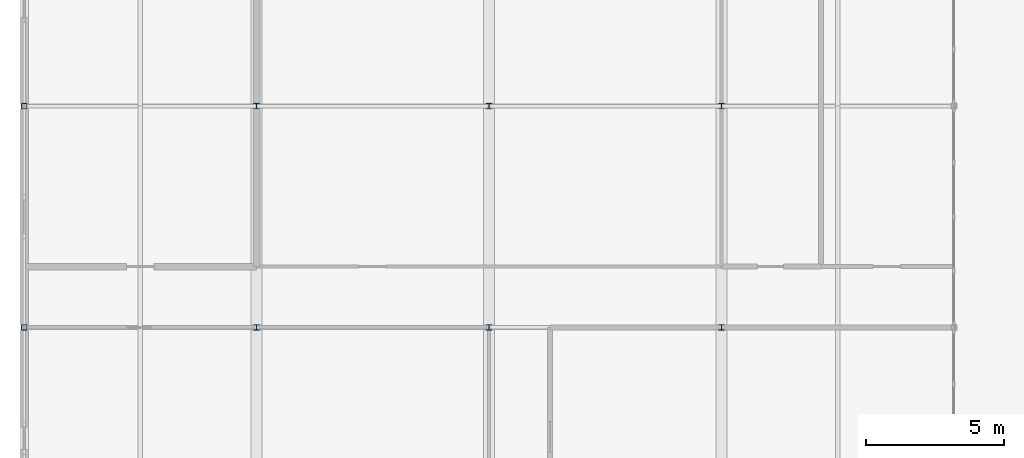
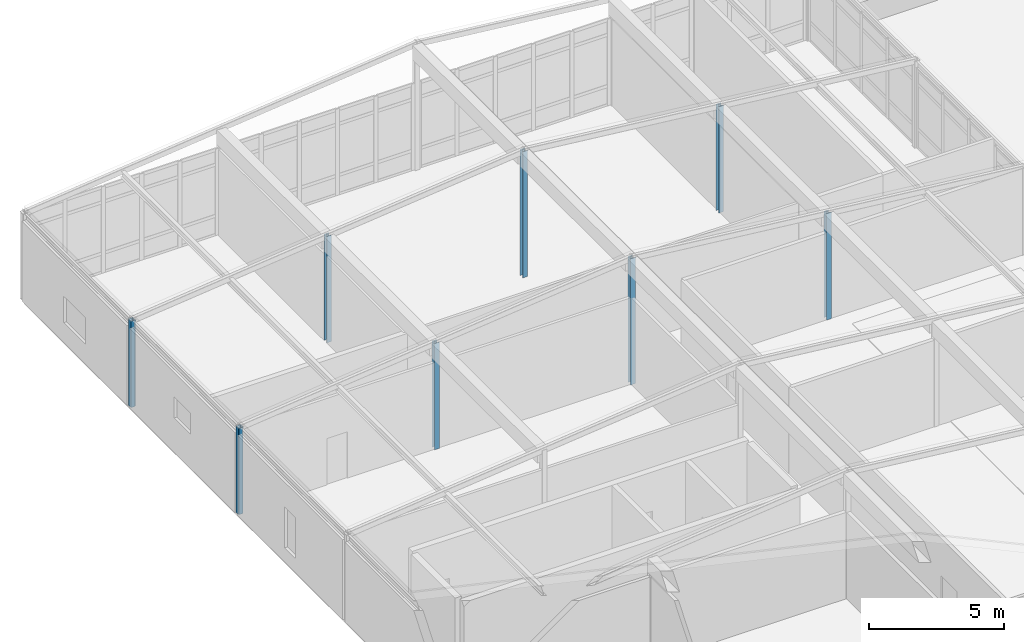
# One storey, part 6 of 25: 8 columns.
"""IFC4 building model written with IfcOpenShell, lengths in metres."""

from ifc_helpers import new_model, si_unit, direction, frame, origin, origin_2d, place, context, subcontext, project, spatial, hollow_rectangle, i_section, extrude, material, material_profile, profile_set, type_object, element, save


model = new_model("IFC4")

# Units and contexts
model_context = context("Model", 3, precision=1e-05, world=origin(), true_north=direction((0.0, 1.0)))
body_context = subcontext(model_context, "Body", "Model", "MODEL_VIEW")
ifc_project = project(units=[si_unit("LENGTHUNIT", "METRE"), si_unit("AREAUNIT", "SQUARE_METRE"), si_unit("VOLUMEUNIT", "CUBIC_METRE"), si_unit("PLANEANGLEUNIT", "RADIAN"), si_unit("MASSUNIT", "GRAM", prefix="KILO")], contexts=[model_context])

# Site, building, storey
site_placement = place(None, origin())
site = spatial("IfcSite", under=ifc_project, at=site_placement, CompositionType="ELEMENT")
building_placement = place(site_placement, origin())
building = spatial("IfcBuilding", under=site, at=building_placement, Name="Kranzveld Transit Interchange", CompositionType="ELEMENT")
storey_placement = place(building_placement, frame((0.0, 0.0, 21.0400390625)))
storey = spatial("IfcBuildingStorey", under=building, at=storey_placement, Name="L05", CompositionType="ELEMENT", Elevation=21.0400390625)

# Columns
ifc_material_1 = material(Name="Steel S355JR", Category="steel")
ifc_material_profile_1 = material_profile(ifc_material_1, i_section(OverallWidth=0.20361328125, OverallDepth=0.203125, WebThickness=0.007080078125, FlangeThickness=0.010986328125, FilletRadius=0.01025390625, at=origin_2d()), Name="UC 203x203x46")
ifc_profile_set_1 = profile_set([ifc_material_profile_1], Name="Steel S355JR")
column_type_1 = type_object("IfcColumnType", Name="Column Steel UC 203x203x46 S355JR", PredefinedType="COLUMN", material=ifc_profile_set_1)
for number, where, z_axis, x_axis, name in (
    (1, (8.39990234375, 96.0, 0.0), (0.0, 0.0, 1.0), (1.0, 0.0, 0.0), "L05 Column 02/N"),
    (2, (8.39990234375, 104.0, 0.0), (0.0, 0.0, 1.0), (1.0, 0.0, 0.0), "L05 Column 02/P"),
):
    element("IfcColumn", number, at=place(storey_placement, frame(where, z_axis=z_axis, x_axis=x_axis)), inside=storey, type_object=column_type_1, Name=name, PredefinedType="COLUMN", context=body_context, shape_type="SweptSolid", body=[
        extrude(i_section(OverallWidth=0.20361328125, OverallDepth=0.203125, WebThickness=0.007080078125, FlangeThickness=0.010986328125, FilletRadius=0.01025390625, at=origin_2d()), origin(), (0.0, 0.0, 1.0), 4.820068359375),
    ])
for number, where, z_axis, x_axis, name in (
    (3, (16.800048828125, 96.0, 0.0), (0.0, 0.0, 1.0), (1.0, 0.0, 0.0), "L05 Column 03/N"),
    (4, (16.800048828125, 104.0, 0.0), (0.0, 0.0, 1.0), (1.0, 0.0, 0.0), "L05 Column 03/P"),
):
    element("IfcColumn", number, at=place(storey_placement, frame(where, z_axis=z_axis, x_axis=x_axis)), inside=storey, type_object=column_type_1, Name=name, PredefinedType="COLUMN", context=body_context, shape_type="SweptSolid", body=[
        extrude(i_section(OverallWidth=0.20361328125, OverallDepth=0.203125, WebThickness=0.007080078125, FlangeThickness=0.010986328125, FilletRadius=0.01025390625, at=origin_2d()), origin(), (0.0, 0.0, 1.0), 5.719970703125),
    ])
for number, where, z_axis, x_axis, name in (
    (5, (25.199951171875, 96.0, 0.0), (0.0, 0.0, 1.0), (1.0, 0.0, 0.0), "L05 Column 04/N"),
    (6, (25.199951171875, 104.0, 0.0), (0.0, 0.0, 1.0), (1.0, 0.0, 0.0), "L05 Column 04/P"),
):
    element("IfcColumn", number, at=place(storey_placement, frame(where, z_axis=z_axis, x_axis=x_axis)), inside=storey, type_object=column_type_1, Name=name, PredefinedType="COLUMN", context=body_context, shape_type="SweptSolid", body=[
        extrude(i_section(OverallWidth=0.20361328125, OverallDepth=0.203125, WebThickness=0.007080078125, FlangeThickness=0.010986328125, FilletRadius=0.01025390625, at=origin_2d()), origin(), (0.0, 0.0, 1.0), 4.820068359375),
    ])
ifc_material_2 = material(Name="Steel S355JR", Category="steel")
ifc_material_profile_2 = material_profile(ifc_material_2, hollow_rectangle(XDim=0.199951171875, YDim=0.199951171875, WallThickness=0.010009765625, InnerFilletRadius=0.014892578125, OuterFilletRadius=0.02490234375, at=origin_2d()), Name="SHS 200x200x10")
ifc_profile_set_2 = profile_set([ifc_material_profile_2], Name="Steel S355JR")
column_type_2 = type_object("IfcColumnType", Name="Pavilion Post SHS 200x200x10 S355JR", PredefinedType="COLUMN", material=ifc_profile_set_2)
for number, where, z_axis, x_axis, name in (
    (7, (0.0, 96.0, 0.0), (0.0, 0.0, 1.0), (1.0, 0.0, 0.0), "L05 Column 01/N"),
    (8, (0.0, 104.0, 0.0), (0.0, 0.0, 1.0), (1.0, 0.0, 0.0), "L05 Column 01/P"),
):
    element("IfcColumn", number, at=place(storey_placement, frame(where, z_axis=z_axis, x_axis=x_axis)), inside=storey, type_object=column_type_2, Name=name, PredefinedType="COLUMN", context=body_context, shape_type="SweptSolid", body=[
        extrude(hollow_rectangle(XDim=0.199951171875, YDim=0.199951171875, WallThickness=0.010009765625, InnerFilletRadius=0.014892578125, OuterFilletRadius=0.02490234375, at=origin_2d()), origin(), (0.0, 0.0, 1.0), 3.919921875),
    ])

save(model, "model.ifc")
